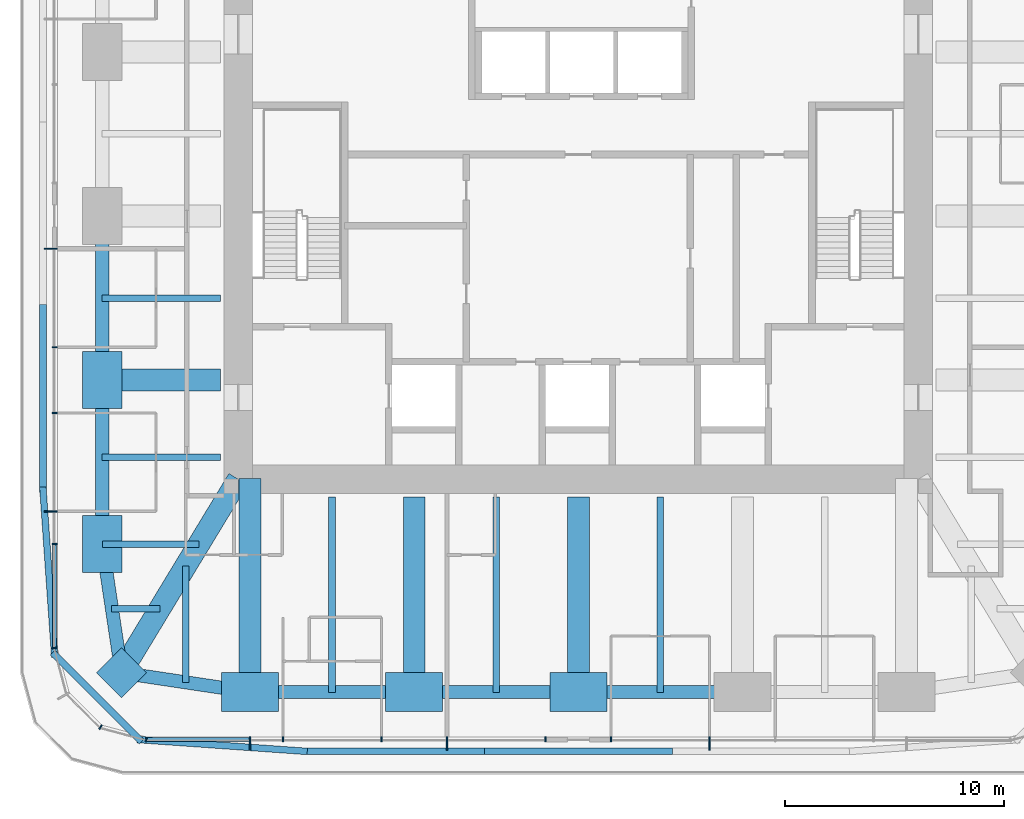
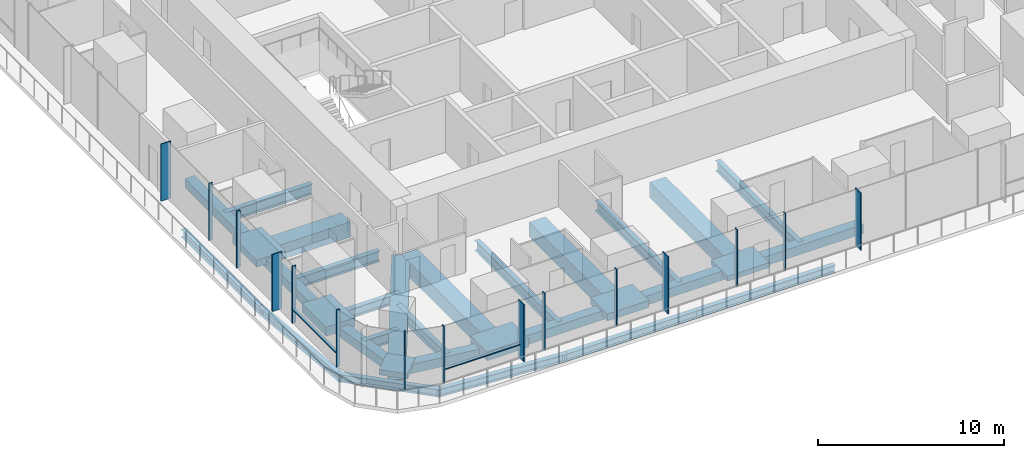
# One storey, part 2 of 15: 35 members, 14 beams, 3 elements without a shape of their own.
"""IFC4 building model written with IfcOpenShell, lengths in metres."""

from ifc_helpers import new_model, si_unit, direction, frame, origin, origin_2d, place, context, subcontext, project, spatial, rectangle, hollow_rectangle, i_section, extrude, material, material_profile, profile_set, type_object, element, aggregate, save


model = new_model("IFC4")

# Units and contexts
model_context = context("Model", 3, precision=1e-05, world=origin(), true_north=direction((0.0, 1.0)))
body_context = subcontext(model_context, "Body", "Model", "MODEL_VIEW")
ifc_project = project(units=[si_unit("LENGTHUNIT", "METRE"), si_unit("AREAUNIT", "SQUARE_METRE"), si_unit("VOLUMEUNIT", "CUBIC_METRE"), si_unit("PLANEANGLEUNIT", "RADIAN"), si_unit("MASSUNIT", "GRAM", prefix="KILO")], contexts=[model_context])

# Site, building, storey
site_placement = place(None, origin())
site = spatial("IfcSite", under=ifc_project, at=site_placement, CompositionType="ELEMENT")
building_placement = place(site_placement, origin())
building = spatial("IfcBuilding", under=site, at=building_placement, Name="Khuree Lantern Residences", CompositionType="ELEMENT")
storey_placement = place(building_placement, frame((0.0, 0.0, 285.75)))
storey = spatial("IfcBuildingStorey", under=building, at=storey_placement, Name="L71", CompositionType="ELEMENT", Elevation=285.75)

# Beams
ifc_material_1 = material(Name="Steel S355", Category="steel")
ifc_material_profile_1 = material_profile(ifc_material_1, i_section(OverallWidth=0.300048828125, OverallDepth=0.68994140625, WebThickness=0.014404296875, FlangeThickness=0.027099609375, FilletRadius=0.027099609375, at=origin_2d()), Name="HE 700 A")
ifc_profile_set_1 = profile_set([ifc_material_profile_1], Name="Steel S355")
beam_type_1 = type_object("IfcBeamType", Name="B-41 SECONDARY BEAM HE 700 A", PredefinedType="BEAM", material=ifc_profile_set_1)
for number, where, z_axis, x_axis, name in (
    (1, (3.742431640625, -21.716064453125, -0.594970703125), (0.0, 1.0, 0.0), (-1.0, 0.0, 0.0), "Secondary beam S3"),
    (2, (-3.742431640625, -21.716064453125, -0.594970703125), (0.0, 1.0, 0.0), (-1.0, 0.0, 0.0), "Secondary beam S4"),
    (3, (-11.2275390625, -21.716064453125, -0.594970703125), (0.0, 1.0, 0.0), (-1.0, 0.0, 0.0), "Secondary beam S5"),
):
    element("IfcBeam", number, at=place(storey_placement, frame(where, z_axis=z_axis, x_axis=x_axis)), inside=storey, type_object=beam_type_1, Name=name, PredefinedType="BEAM", context=body_context, shape_type="SweptSolid", body=[
        extrude(i_section(OverallWidth=0.300048828125, OverallDepth=0.68994140625, WebThickness=0.014404296875, FlangeThickness=0.027099609375, FilletRadius=0.027099609375, at=origin_2d()), origin(), (0.0, 0.0, 1.0), 8.916015625),
    ])
beam_1_placement = place(storey_placement, frame((-17.903076171875, -21.276123046875, -0.594970703125), z_axis=(0.0, 1.0, 0.0), x_axis=(-1.0, 0.0, 0.0)))
element("IfcBeam", 4, at=beam_1_placement, inside=storey, type_object=beam_type_1, Name="Secondary beam S6", PredefinedType="BEAM", context=body_context, shape_type="SweptSolid", body=[
    extrude(i_section(OverallWidth=0.300048828125, OverallDepth=0.68994140625, WebThickness=0.014404296875, FlangeThickness=0.027099609375, FilletRadius=0.027099609375, at=origin_2d()), origin(), (0.0, 0.0, 1.0), 5.31201171875),
])
beam_2_placement = place(storey_placement, frame((-21.276123046875, -17.903076171875, -0.594970703125), z_axis=(1.0, 0.0, 0.0), x_axis=(0.0, 1.0, 0.0)))
element("IfcBeam", 5, at=beam_2_placement, inside=storey, type_object=beam_type_1, Name="Secondary beam W1", PredefinedType="BEAM", context=body_context, shape_type="SweptSolid", body=[
    extrude(i_section(OverallWidth=0.300048828125, OverallDepth=0.68994140625, WebThickness=0.014404296875, FlangeThickness=0.027099609375, FilletRadius=0.027099609375, at=origin_2d()), origin(), (0.0, 0.0, 1.0), 2.19775390625),
])
for number, where, z_axis, x_axis, name in (
    (6, (-21.716064453125, -11.0, -0.594970703125), (1.0, 0.0, 0.0), (0.0, 1.0, 0.0), "Secondary beam W2"),
    (7, (-21.716064453125, -3.742431640625, -0.594970703125), (1.0, 0.0, 0.0), (0.0, 1.0, 0.0), "Secondary beam W3"),
):
    element("IfcBeam", number, at=place(storey_placement, frame(where, z_axis=z_axis, x_axis=x_axis)), inside=storey, type_object=beam_type_1, Name=name, PredefinedType="BEAM", context=body_context, shape_type="SweptSolid", body=[
        extrude(i_section(OverallWidth=0.300048828125, OverallDepth=0.68994140625, WebThickness=0.014404296875, FlangeThickness=0.027099609375, FilletRadius=0.027099609375, at=origin_2d()), origin(), (0.0, 0.0, 1.0), 5.416015625),
    ])

# Members
ifc_material_profile_2 = material_profile(ifc_material_1, hollow_rectangle(XDim=0.60009765625, YDim=0.60009765625, WallThickness=0.050048828125, at=origin_2d()), Name="WELDED BOX 600X600X50")
ifc_profile_set_2 = profile_set([ifc_material_profile_2], Name="Steel S355")
member_type_1 = type_object("IfcMemberType", Name="BT-71 BELT TRUSS CHORD WELDED BOX 600X600X50", PredefinedType="CHORD", material=ifc_profile_set_2)
for number, where, z_axis, x_axis, name in (
    (8, (7.47998046875, -21.699951171875, -0.550048828125), (-1.0, 0.0, 0.0), (0.0, -1.0, 0.0), "Belt truss chord S3"),
    (9, (0.0, -21.699951171875, -0.550048828125), (-1.0, 0.0, 0.0), (0.0, -1.0, 0.0), "Belt truss chord S4"),
    (10, (-7.47998046875, -21.699951171875, -0.550048828125), (-1.0, 0.0, 0.0), (0.0, -1.0, 0.0), "Belt truss chord S5"),
):
    element("IfcMember", number, at=place(storey_placement, frame(where, z_axis=z_axis, x_axis=x_axis)), inside=storey, type_object=member_type_1, Name=name, PredefinedType="CHORD", context=body_context, shape_type="SweptSolid", body=[
        extrude(hollow_rectangle(XDim=0.60009765625, YDim=0.60009765625, WallThickness=0.050048828125, at=origin_2d()), origin(), (0.0, 0.0, 1.0), 7.47998046875),
    ])
for number, where, z_axis, x_axis, name in (
    (11, (-14.9599609375, -21.699951171875, -0.550048828125), (-0.988949643299, 0.148251822985, 0.0), (-0.148251822985, -0.988949643299, 0.0), "Belt truss chord S6"),
    (12, (-20.8212890625, -20.8212890625, -0.550048828125), (-0.148251822985, 0.988949643299, 0.0), (-0.988949643299, -0.148251822985, 0.0), "Belt truss chord W1"),
):
    element("IfcMember", number, at=place(storey_placement, frame(where, z_axis=z_axis, x_axis=x_axis)), inside=storey, type_object=member_type_1, Name=name, PredefinedType="CHORD", context=body_context, shape_type="SweptSolid", body=[
        extrude(hollow_rectangle(XDim=0.60009765625, YDim=0.60009765625, WallThickness=0.050048828125, at=origin_2d()), origin(), (0.0, 0.0, 1.0), 5.9267578125),
    ])
for number, where, z_axis, x_axis, name in (
    (13, (-21.699951171875, -14.9599609375, -0.550048828125), (0.0, 1.0, 0.0), (-1.0, 0.0, 0.0), "Belt truss chord W2"),
    (14, (-21.699951171875, -7.47998046875, -0.550048828125), (0.0, 1.0, 0.0), (-1.0, 0.0, 0.0), "Belt truss chord W3"),
):
    element("IfcMember", number, at=place(storey_placement, frame(where, z_axis=z_axis, x_axis=x_axis)), inside=storey, type_object=member_type_1, Name=name, PredefinedType="CHORD", context=body_context, shape_type="SweptSolid", body=[
        extrude(hollow_rectangle(XDim=0.60009765625, YDim=0.60009765625, WallThickness=0.050048828125, at=origin_2d()), origin(), (0.0, 0.0, 1.0), 7.47998046875),
    ])

# Curtain wall, members
ifc_material_2 = material(Name="Bronze anodised aluminium", Category="aluminium")
curtain_wall_type_1 = type_object("IfcCurtainWallType", Name="CW-T1 TOWER FACE CURTAIN WALL", PredefinedType="USERDEFINED", material=ifc_material_2)
curtain_wall_1_placement = place(storey_placement, origin())
curtain_wall_1 = element("IfcCurtainWall", 15, at=curtain_wall_1_placement, inside=storey, type_object=curtain_wall_type_1, Name="L71 WEST FACE CURTAIN WALL", ObjectType="Stick-built curtain wall", PredefinedType="USERDEFINED")
ifc_material_profile_3 = material_profile(ifc_material_2, rectangle(XDim=0.06494140625, YDim=0.60009765625, at=origin_2d()), Name="F1 65X600")
ifc_profile_set_3 = profile_set([ifc_material_profile_3], Name="Bronze anodised aluminium")
member_type_2 = type_object("IfcMemberType", Name="F1 BRONZE FIN MULLION TOWER 65X600", PredefinedType="MULLION", material=ifc_profile_set_3)
member_1_placement = place(storey_placement, frame((-24.050048828125, -1.49609375, 0.0), z_axis=(0.0, 0.0, 1.0), x_axis=(0.0, -1.0, 0.0)))
member_1 = element("IfcMember", 16, at=member_1_placement, type_object=member_type_2, Name="L71 WEST FACE FIN MULLION 38", PredefinedType="MULLION", context=body_context, shape_type="SweptSolid", body=[
    extrude(rectangle(XDim=0.06494140625, YDim=0.60009765625, at=origin_2d()), origin(), (0.0, 0.0, 1.0), 3.75),
])
member_2_placement = place(storey_placement, frame((-24.050048828125, -13.464111328125, 0.0), z_axis=(0.0, 0.0, 1.0), x_axis=(0.0, -1.0, 0.0)))
member_2 = element("IfcMember", 17, at=member_2_placement, type_object=member_type_2, Name="L71 WEST FACE FIN MULLION 41", PredefinedType="MULLION", context=body_context, shape_type="SweptSolid", body=[
    extrude(rectangle(XDim=0.06494140625, YDim=0.60009765625, at=origin_2d()), origin(), (0.0, 0.0, 1.0), 3.75),
])

curtain_wall_2_placement = place(storey_placement, origin())
curtain_wall_2 = element("IfcCurtainWall", 18, at=curtain_wall_2_placement, inside=storey, type_object=curtain_wall_type_1, Name="L71 SOUTH FACE CURTAIN WALL", ObjectType="Stick-built curtain wall", PredefinedType="USERDEFINED")
member_3_placement = place(storey_placement, frame((-14.9599609375, -24.050048828125, 0.0), z_axis=(0.0, 0.0, 1.0), x_axis=(1.0, 0.0, 0.0)))
member_3 = element("IfcMember", 19, at=member_3_placement, type_object=member_type_2, Name="L71 SOUTH FACE FIN MULLION 47", PredefinedType="MULLION", context=body_context, shape_type="SweptSolid", body=[
    extrude(rectangle(XDim=0.06494140625, YDim=0.60009765625, at=origin_2d()), origin(), (0.0, 0.0, 1.0), 3.75),
])
member_4_placement = place(storey_placement, frame((-5.98388671875, -24.050048828125, 0.0), z_axis=(0.0, 0.0, 1.0), x_axis=(1.0, 0.0, 0.0)))
member_4 = element("IfcMember", 20, at=member_4_placement, type_object=member_type_2, Name="L71 SOUTH FACE FIN MULLION 50", PredefinedType="MULLION", context=body_context, shape_type="SweptSolid", body=[
    extrude(rectangle(XDim=0.06494140625, YDim=0.60009765625, at=origin_2d()), origin(), (0.0, 0.0, 1.0), 3.75),
])
member_5_placement = place(storey_placement, frame((5.98388671875, -24.050048828125, 0.0), z_axis=(0.0, 0.0, 1.0), x_axis=(1.0, 0.0, 0.0)))
member_5 = element("IfcMember", 21, at=member_5_placement, type_object=member_type_2, Name="L71 SOUTH FACE FIN MULLION 53", PredefinedType="MULLION", context=body_context, shape_type="SweptSolid", body=[
    extrude(rectangle(XDim=0.06494140625, YDim=0.60009765625, at=origin_2d()), origin(), (0.0, 0.0, 1.0), 3.75),
])

# Beam
ifc_material_profile_4 = material_profile(ifc_material_1, i_section(OverallWidth=0.300048828125, OverallDepth=0.60009765625, WebThickness=0.015380859375, FlangeThickness=0.030029296875, FilletRadius=0.027099609375, at=origin_2d()), Name="HE 600 B")
ifc_profile_set_4 = profile_set([ifc_material_profile_4], Name="Steel S355")
beam_type_2 = type_object("IfcBeamType", Name="G-41 GIRDER HE 600 B", PredefinedType="BEAM", material=ifc_profile_set_4)
beam_3_placement = place(storey_placement, frame((-21.699951171875, -14.9599609375, -0.550048828125), z_axis=(1.0, 0.0, 0.0), x_axis=(0.0, 1.0, 0.0)))
element("IfcBeam", 22, at=beam_3_placement, inside=storey, type_object=beam_type_2, Name="Girder W1", PredefinedType="BEAM", context=body_context, shape_type="SweptSolid", body=[
    extrude(i_section(OverallWidth=0.300048828125, OverallDepth=0.60009765625, WebThickness=0.015380859375, FlangeThickness=0.030029296875, FilletRadius=0.027099609375, at=origin_2d()), origin(), (0.0, 0.0, 1.0), 4.405517578125),
])

# Member
ifc_material_profile_5 = material_profile(ifc_material_2, rectangle(XDim=0.06494140625, YDim=0.219970703125, at=origin_2d()), Name="M1 65X220")
ifc_profile_set_5 = profile_set([ifc_material_profile_5], Name="Bronze anodised aluminium")
member_type_3 = type_object("IfcMemberType", Name="M1 BRONZE MULLION TOWER 65X220", PredefinedType="MULLION", material=ifc_profile_set_5)
member_6_placement = place(storey_placement, frame((-23.860107421875, -5.98388671875, 0.0), z_axis=(0.0, 0.0, 1.0), x_axis=(0.0, -1.0, 0.0)))
member_6 = element("IfcMember", 23, at=member_6_placement, type_object=member_type_3, Name="L71 WEST FACE MULLION 39", PredefinedType="MULLION", context=body_context, shape_type="SweptSolid", body=[
    extrude(rectangle(XDim=0.06494140625, YDim=0.219970703125, at=origin_2d()), origin(), (0.0, 0.0, 1.0), 3.75),
])

member_7_placement = place(storey_placement, frame((-23.860107421875, -8.97607421875, 0.0), z_axis=(0.0, 0.0, 1.0), x_axis=(0.0, -1.0, 0.0)))
member_7 = element("IfcMember", 24, at=member_7_placement, type_object=member_type_3, Name="L71 WEST FACE MULLION 40", PredefinedType="MULLION", context=body_context, shape_type="SweptSolid", body=[
    extrude(rectangle(XDim=0.06494140625, YDim=0.219970703125, at=origin_2d()), origin(), (0.0, 0.0, 1.0), 3.75),
])

member_8_placement = place(storey_placement, frame((-23.860107421875, -14.9599609375, 0.0), z_axis=(0.0, 0.0, 1.0), x_axis=(0.0, -1.0, 0.0)))
member_8 = element("IfcMember", 25, at=member_8_placement, type_object=member_type_3, Name="L71 WEST FACE MULLION 42", PredefinedType="MULLION", context=body_context, shape_type="SweptSolid", body=[
    extrude(rectangle(XDim=0.06494140625, YDim=0.219970703125, at=origin_2d()), origin(), (0.0, 0.0, 1.0), 3.75),
])

# Curtain wall, members
curtain_wall_type_2 = type_object("IfcCurtainWallType", Name="CW-T2 TOWER CORNER CURTAIN WALL", PredefinedType="USERDEFINED", material=ifc_material_2)
curtain_wall_3_placement = place(storey_placement, origin())
curtain_wall_3 = element("IfcCurtainWall", 26, at=curtain_wall_3_placement, inside=storey, type_object=curtain_wall_type_2, Name="L71 SOUTH-WEST CORNER CURTAIN WALL", ObjectType="Faceted corner curtain wall", PredefinedType="USERDEFINED")
member_9_placement = place(storey_placement, frame((-23.86181640625, -19.695068359375, 0.0), z_axis=(0.0, 0.0, 1.0), x_axis=(0.130526125236, -0.991444870192, 0.0)))
member_9 = element("IfcMember", 27, at=member_9_placement, type_object=member_type_3, Name="L71 SOUTH-WEST CORNER MULLION 43", PredefinedType="MULLION", context=body_context, shape_type="SweptSolid", body=[
    extrude(rectangle(XDim=0.06494140625, YDim=0.219970703125, at=origin_2d()), origin(), (0.0, 0.0, 1.0), 3.75),
])
member_10_placement = place(storey_placement, frame((-21.780029296875, -23.302734375, 0.0), z_axis=(0.0, 0.0, 1.0), x_axis=(0.866025437565, -0.49999994149, 0.0)))
member_10 = element("IfcMember", 28, at=member_10_placement, type_object=member_type_3, Name="L71 SOUTH-WEST CORNER MULLION 45", PredefinedType="MULLION", context=body_context, shape_type="SweptSolid", body=[
    extrude(rectangle(XDim=0.06494140625, YDim=0.219970703125, at=origin_2d()), origin(), (0.0, 0.0, 1.0), 3.75),
])
aggregate(curtain_wall_3, [member_9, member_10])

# Member
member_11_placement = place(storey_placement, frame((-19.695068359375, -23.86181640625, 0.0), z_axis=(0.0, 0.0, 1.0), x_axis=(0.991444870192, -0.130526125236, 0.0)))
member_11 = element("IfcMember", 29, at=member_11_placement, type_object=member_type_3, Name="L71 SOUTH FACE MULLION 46", PredefinedType="MULLION", context=body_context, shape_type="SweptSolid", body=[
    extrude(rectangle(XDim=0.06494140625, YDim=0.219970703125, at=origin_2d()), origin(), (0.0, 0.0, 1.0), 3.75),
])

member_12_placement = place(storey_placement, frame((-13.464111328125, -23.860107421875, 0.0), z_axis=(0.0, 0.0, 1.0), x_axis=(1.0, 0.0, 0.0)))
member_12 = element("IfcMember", 30, at=member_12_placement, type_object=member_type_3, Name="L71 SOUTH FACE MULLION 48", PredefinedType="MULLION", context=body_context, shape_type="SweptSolid", body=[
    extrude(rectangle(XDim=0.06494140625, YDim=0.219970703125, at=origin_2d()), origin(), (0.0, 0.0, 1.0), 3.75),
])

member_13_placement = place(storey_placement, frame((-8.97607421875, -23.860107421875, 0.0), z_axis=(0.0, 0.0, 1.0), x_axis=(1.0, 0.0, 0.0)))
member_13 = element("IfcMember", 31, at=member_13_placement, type_object=member_type_3, Name="L71 SOUTH FACE MULLION 49", PredefinedType="MULLION", context=body_context, shape_type="SweptSolid", body=[
    extrude(rectangle(XDim=0.06494140625, YDim=0.219970703125, at=origin_2d()), origin(), (0.0, 0.0, 1.0), 3.75),
])

member_14_placement = place(storey_placement, frame((-1.49609375, -23.860107421875, 0.0), z_axis=(0.0, 0.0, 1.0), x_axis=(1.0, 0.0, 0.0)))
member_14 = element("IfcMember", 32, at=member_14_placement, type_object=member_type_3, Name="L71 SOUTH FACE MULLION 51", PredefinedType="MULLION", context=body_context, shape_type="SweptSolid", body=[
    extrude(rectangle(XDim=0.06494140625, YDim=0.219970703125, at=origin_2d()), origin(), (0.0, 0.0, 1.0), 3.75),
])

member_15_placement = place(storey_placement, frame((1.49609375, -23.860107421875, 0.0), z_axis=(0.0, 0.0, 1.0), x_axis=(1.0, 0.0, 0.0)))
member_15 = element("IfcMember", 33, at=member_15_placement, type_object=member_type_3, Name="L71 SOUTH FACE MULLION 52", PredefinedType="MULLION", context=body_context, shape_type="SweptSolid", body=[
    extrude(rectangle(XDim=0.06494140625, YDim=0.219970703125, at=origin_2d()), origin(), (0.0, 0.0, 1.0), 3.75),
])

# Members
ifc_material_3 = material(Name="Concrete C70/85", Category="concrete")
ifc_material_profile_6 = material_profile(ifc_material_3, rectangle(XDim=2.60009765625, YDim=1.800048828125, at=origin_2d()), Name="RC 2600X1800")
ifc_profile_set_6 = profile_set([ifc_material_profile_6], Name="Concrete C70/85")
member_type_4 = type_object("IfcMemberType", Name="MNC MEGA COLUMN NODE RC 2600X1800", PredefinedType="MEMBER", material=ifc_profile_set_6)
member_16_placement = place(storey_placement, frame((0.0, -21.699951171875, -0.550048828125), z_axis=(0.0, 0.0, 1.0), x_axis=(1.0, 0.0, 0.0)))
element("IfcMember", 34, at=member_16_placement, inside=storey, type_object=member_type_4, Name="Mega column node S3", PredefinedType="MEMBER", context=body_context, shape_type="SweptSolid", body=[
    extrude(rectangle(XDim=2.60009765625, YDim=1.800048828125, at=origin_2d()), origin(), (0.0, 0.0, 1.0), 0.320068359375),
])
member_17_placement = place(storey_placement, frame((-7.47998046875, -21.699951171875, -0.550048828125), z_axis=(0.0, 0.0, 1.0), x_axis=(1.0, 0.0, 0.0)))
element("IfcMember", 35, at=member_17_placement, inside=storey, type_object=member_type_4, Name="Mega column node S4", PredefinedType="MEMBER", context=body_context, shape_type="SweptSolid", body=[
    extrude(rectangle(XDim=2.60009765625, YDim=1.800048828125, at=origin_2d()), origin(), (0.0, 0.0, 1.0), 0.4599609375),
])
for number, where, z_axis, x_axis, name in (
    (36, (-14.9599609375, -21.699951171875, -0.550048828125), (0.0, 0.0, 1.0), (1.0, 0.0, 0.0), "Mega column node S5"),
    (37, (-21.699951171875, -14.9599609375, -0.550048828125), (0.0, 0.0, 1.0), (0.0, 1.0, 0.0), "Mega column node W1"),
):
    element("IfcMember", number, at=place(storey_placement, frame(where, z_axis=z_axis, x_axis=x_axis)), inside=storey, type_object=member_type_4, Name=name, PredefinedType="MEMBER", context=body_context, shape_type="SweptSolid", body=[
        extrude(rectangle(XDim=2.60009765625, YDim=1.800048828125, at=origin_2d()), origin(), (0.0, 0.0, 1.0), 0.590087890625),
    ])
member_18_placement = place(storey_placement, frame((-21.699951171875, -7.47998046875, -0.550048828125), z_axis=(0.0, 0.0, 1.0), x_axis=(0.0, 1.0, 0.0)))
element("IfcMember", 38, at=member_18_placement, inside=storey, type_object=member_type_4, Name="Mega column node W2", PredefinedType="MEMBER", context=body_context, shape_type="SweptSolid", body=[
    extrude(rectangle(XDim=2.60009765625, YDim=1.800048828125, at=origin_2d()), origin(), (0.0, 0.0, 1.0), 0.4599609375),
])
ifc_material_profile_7 = material_profile(ifc_material_3, rectangle(XDim=1.60009765625, YDim=1.60009765625, at=origin_2d()), Name="RC 1600X1600")
ifc_profile_set_7 = profile_set([ifc_material_profile_7], Name="Concrete C70/85")
member_type_5 = type_object("IfcMemberType", Name="MND MEGA COLUMN NODE RC 1600X1600", PredefinedType="MEMBER", material=ifc_profile_set_7)
member_19_placement = place(storey_placement, frame((-20.8212890625, -20.8212890625, -0.550048828125), z_axis=(0.0, 0.0, 1.0), x_axis=(0.707106781187, -0.707106781187, 0.0)))
element("IfcMember", 39, at=member_19_placement, inside=storey, type_object=member_type_5, Name="Mega column node SW", PredefinedType="MEMBER", context=body_context, shape_type="SweptSolid", body=[
    extrude(rectangle(XDim=1.60009765625, YDim=1.60009765625, at=origin_2d()), origin(), (0.0, 0.0, 1.0), 0.360107421875),
])
ifc_material_profile_8 = material_profile(ifc_material_1, hollow_rectangle(XDim=1.0, YDim=1.0, WallThickness=0.080078125, at=origin_2d()), Name="WELDED BOX 1000X1000X80")
ifc_profile_set_8 = profile_set([ifc_material_profile_8], Name="Steel S355")
member_type_6 = type_object("IfcMemberType", Name="OT-71 OUTRIGGER TRUSS CHORD WELDED BOX 1000X1000X80", PredefinedType="CHORD", material=ifc_profile_set_8)
for number, where, z_axis, x_axis, name in (
    (40, (0.0, -21.699951171875, -0.75), (0.0, 1.0, 0.0), (-1.0, 0.0, 0.0), "Outrigger chord S3"),
    (41, (-7.47998046875, -21.699951171875, -0.75), (0.0, 1.0, 0.0), (-1.0, 0.0, 0.0), "Outrigger chord S4"),
):
    element("IfcMember", number, at=place(storey_placement, frame(where, z_axis=z_axis, x_axis=x_axis)), inside=storey, type_object=member_type_6, Name=name, PredefinedType="CHORD", context=body_context, shape_type="SweptSolid", body=[
        extrude(hollow_rectangle(XDim=1.0, YDim=1.0, WallThickness=0.080078125, at=origin_2d()), origin(), (0.0, 0.0, 1.0), 8.89990234375),
    ])
member_20_placement = place(storey_placement, frame((-14.9599609375, -21.699951171875, -0.75), z_axis=(0.0, 1.0, 0.0), x_axis=(-1.0, 0.0, 0.0)))
element("IfcMember", 42, at=member_20_placement, inside=storey, type_object=member_type_6, Name="Outrigger chord S5", PredefinedType="CHORD", context=body_context, shape_type="SweptSolid", body=[
    extrude(hollow_rectangle(XDim=1.0, YDim=1.0, WallThickness=0.080078125, at=origin_2d()), origin(), (0.0, 0.0, 1.0), 9.72265625),
])
member_21_placement = place(storey_placement, frame((-21.699951171875, -7.47998046875, -0.75), z_axis=(1.0, 0.0, 0.0), x_axis=(0.0, 1.0, 0.0)))
element("IfcMember", 43, at=member_21_placement, inside=storey, type_object=member_type_6, Name="Outrigger chord W2", PredefinedType="CHORD", context=body_context, shape_type="SweptSolid", body=[
    extrude(hollow_rectangle(XDim=1.0, YDim=1.0, WallThickness=0.080078125, at=origin_2d()), origin(), (0.0, 0.0, 1.0), 5.39990234375),
])
member_22_placement = place(storey_placement, frame((-20.8876953125, -20.8876953125, -0.75), z_axis=(0.518387093146, 0.855146082059, 0.0), x_axis=(-0.855146082059, 0.518387093146, 0.0)))
element("IfcMember", 44, at=member_22_placement, inside=storey, type_object=member_type_6, Name="Outrigger chord SW", PredefinedType="CHORD", context=body_context, shape_type="SweptSolid", body=[
    extrude(hollow_rectangle(XDim=1.0, YDim=1.0, WallThickness=0.080078125, at=origin_2d()), origin(), (0.0, 0.0, 1.0), 10.393310546875),
])

# Beams
ifc_material_profile_9 = material_profile(ifc_material_1, i_section(OverallWidth=0.300048828125, OverallDepth=0.5, WebThickness=0.014404296875, FlangeThickness=0.028076171875, FilletRadius=0.027099609375, at=origin_2d()), Name="HE 500 B")
ifc_profile_set_9 = profile_set([ifc_material_profile_9], Name="Steel S355")
beam_type_3 = type_object("IfcBeamType", Name="TB1 TERRACE EDGE BEAM HE 500 B", PredefinedType="BEAM", material=ifc_profile_set_9)
beam_4_placement = place(storey_placement, frame((4.284912109375, -24.39990234375, -0.5), z_axis=(-1.0, 0.0, 0.0), x_axis=(0.0, -1.0, 0.0)))
element("IfcBeam", 45, at=beam_4_placement, inside=storey, type_object=beam_type_3, Name="Terrace edge beam S3", PredefinedType="BEAM", context=body_context, shape_type="SweptSolid", body=[
    extrude(i_section(OverallWidth=0.300048828125, OverallDepth=0.5, WebThickness=0.014404296875, FlangeThickness=0.028076171875, FilletRadius=0.027099609375, at=origin_2d()), origin(), (0.0, 0.0, 1.0), 8.56982421875),
])
beam_5_placement = place(storey_placement, frame((-4.034912109375, -24.39990234375, -0.5), z_axis=(-1.0, 0.0, 0.0), x_axis=(0.0, -1.0, 0.0)))
element("IfcBeam", 46, at=beam_5_placement, inside=storey, type_object=beam_type_3, Name="Terrace edge beam S4", PredefinedType="BEAM", context=body_context, shape_type="SweptSolid", body=[
    extrude(i_section(OverallWidth=0.300048828125, OverallDepth=0.5, WebThickness=0.014404296875, FlangeThickness=0.028076171875, FilletRadius=0.027099609375, at=origin_2d()), origin(), (0.0, 0.0, 1.0), 8.570068359375),
])
beam_6_placement = place(storey_placement, frame((-12.355224609375, -24.40869140625, -0.5), z_axis=(-0.997547107034, 0.069998351758, 0.0), x_axis=(-0.069998351758, -0.997547107034, 0.0)))
element("IfcBeam", 47, at=beam_6_placement, inside=storey, type_object=beam_type_3, Name="Terrace edge beam S5", PredefinedType="BEAM", context=body_context, shape_type="SweptSolid", body=[
    extrude(i_section(OverallWidth=0.300048828125, OverallDepth=0.5, WebThickness=0.014404296875, FlangeThickness=0.028076171875, FilletRadius=0.027099609375, at=origin_2d()), origin(), (0.0, 0.0, 1.0), 7.78125),
])
beam_7_placement = place(storey_placement, frame((-19.904296875, -23.961181640625, -0.5), z_axis=(-0.707106781187, 0.707106781187, 0.0), x_axis=(-0.707106781187, -0.707106781187, 0.0)))
element("IfcBeam", 48, at=beam_7_placement, inside=storey, type_object=beam_type_3, Name="Terrace edge beam S6", PredefinedType="BEAM", context=body_context, shape_type="SweptSolid", body=[
    extrude(i_section(OverallWidth=0.300048828125, OverallDepth=0.5, WebThickness=0.014404296875, FlangeThickness=0.028076171875, FilletRadius=0.027099609375, at=origin_2d()), origin(), (0.0, 0.0, 1.0), 5.7373046875),
])
beam_8_placement = place(storey_placement, frame((-23.864013671875, -20.117431640625, -0.5), z_axis=(-0.069998351758, 0.997547107034, 0.0), x_axis=(-0.997547107034, -0.069998351758, 0.0)))
element("IfcBeam", 49, at=beam_8_placement, inside=storey, type_object=beam_type_3, Name="Terrace edge beam W1", PredefinedType="BEAM", context=body_context, shape_type="SweptSolid", body=[
    extrude(i_section(OverallWidth=0.300048828125, OverallDepth=0.5, WebThickness=0.014404296875, FlangeThickness=0.028076171875, FilletRadius=0.027099609375, at=origin_2d()), origin(), (0.0, 0.0, 1.0), 7.78125),
])
beam_9_placement = place(storey_placement, frame((-24.39990234375, -12.60498046875, -0.5), z_axis=(0.0, 1.0, 0.0), x_axis=(-1.0, 0.0, 0.0)))
element("IfcBeam", 50, at=beam_9_placement, inside=storey, type_object=beam_type_3, Name="Terrace edge beam W2", PredefinedType="BEAM", context=body_context, shape_type="SweptSolid", body=[
    extrude(i_section(OverallWidth=0.300048828125, OverallDepth=0.5, WebThickness=0.014404296875, FlangeThickness=0.028076171875, FilletRadius=0.027099609375, at=origin_2d()), origin(), (0.0, 0.0, 1.0), 8.570068359375),
])

# Member
ifc_material_profile_10 = material_profile(ifc_material_2, rectangle(XDim=0.179931640625, YDim=0.06494140625, at=origin_2d()), Name="T1 180X65")
ifc_profile_set_10 = profile_set([ifc_material_profile_10], Name="Bronze anodised aluminium")
member_type_7 = type_object("IfcMemberType", Name="TRANSOM T1 TOWER 180X65", PredefinedType="USERDEFINED", material=ifc_profile_set_10)
member_23_placement = place(storey_placement, frame((-23.8701171875, -14.992431640625, 0.89990234375), z_axis=(0.0, -1.0, 0.0), x_axis=(1.0, 0.0, 0.0)))
member_23 = element("IfcMember", 51, at=member_23_placement, type_object=member_type_7, Name="L71 WEST FACE TRANSOM 42.1", ObjectType="Transom", PredefinedType="USERDEFINED", context=body_context, shape_type="SweptSolid", body=[
    extrude(rectangle(XDim=0.179931640625, YDim=0.06494140625, at=origin_2d()), origin(), (0.0, 0.0, 1.0), 4.658935546875),
])

aggregate(curtain_wall_1, [member_1, member_6, member_7, member_2, member_8, member_23])

member_24_placement = place(storey_placement, frame((-19.6513671875, -23.8701171875, 0.89990234375), z_axis=(1.0, 0.0, 0.0), x_axis=(0.0, 1.0, 0.0)))
member_24 = element("IfcMember", 52, at=member_24_placement, type_object=member_type_7, Name="L71 SOUTH FACE TRANSOM 46.1", ObjectType="Transom", PredefinedType="USERDEFINED", context=body_context, shape_type="SweptSolid", body=[
    extrude(rectangle(XDim=0.179931640625, YDim=0.06494140625, at=origin_2d()), origin(), (0.0, 0.0, 1.0), 4.658935546875),
])

aggregate(curtain_wall_2, [member_11, member_3, member_12, member_13, member_4, member_14, member_15, member_5, member_24])

save(model, "model.ifc")
